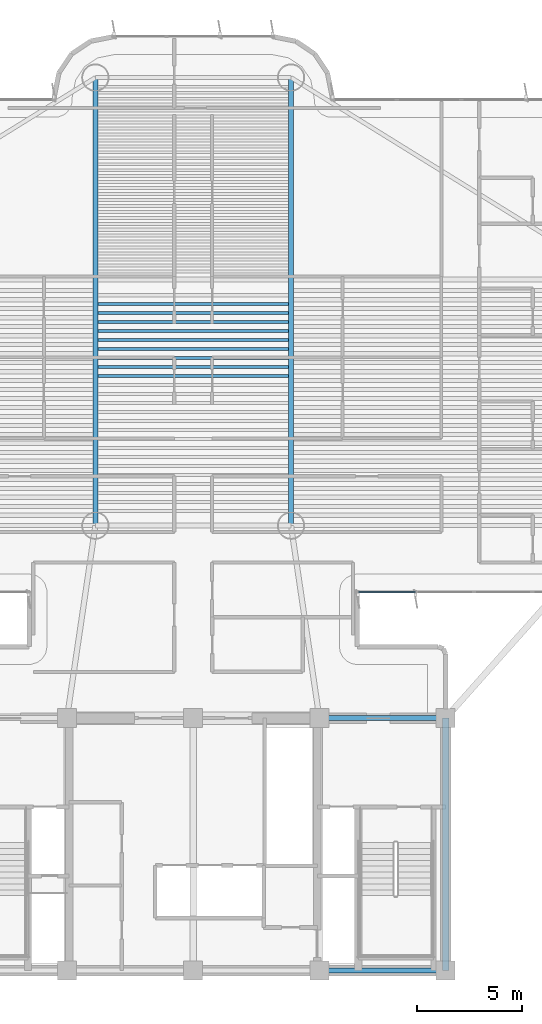
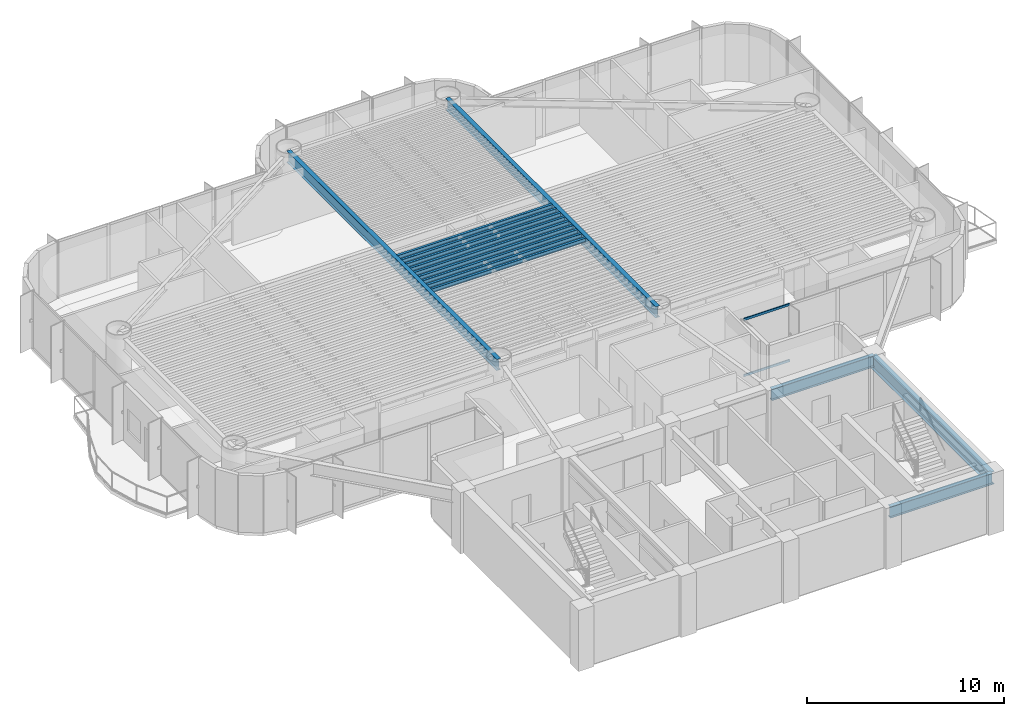
# One storey, part 3 of 17: 14 beams, 2 members, 1 element without a shape of its own.
"""IFC4 building model written with IfcOpenShell, lengths in metres."""

from ifc_helpers import new_model, si_unit, direction, frame, origin, origin_2d, place, context, subcontext, project, spatial, rectangle, i_section, extrude, source, transform, mapped, material, layer, layer_set, material_profile, profile_set, type_object, element, aggregate, save


model = new_model("IFC4")

# Units and contexts
model_context = context("Model", 3, precision=1e-05, world=origin(), true_north=direction((0.0, 1.0)))
body_context = subcontext(model_context, "Body", "Model", "MODEL_VIEW")
ifc_project = project(units=[si_unit("LENGTHUNIT", "METRE"), si_unit("AREAUNIT", "SQUARE_METRE"), si_unit("VOLUMEUNIT", "CUBIC_METRE"), si_unit("PLANEANGLEUNIT", "RADIAN"), si_unit("MASSUNIT", "GRAM", prefix="KILO")], contexts=[model_context])

# Site, building, storey
site_placement = place(None, origin())
site = spatial("IfcSite", under=ifc_project, at=site_placement, CompositionType="ELEMENT")
building_placement = place(site_placement, origin())
building = spatial("IfcBuilding", under=site, at=building_placement, Name="Brelvock Crest Care Tower", CompositionType="ELEMENT")
storey_placement = place(building_placement, frame((0.0, 0.0, 135.179931640625)))
storey = spatial("IfcBuildingStorey", under=building, at=storey_placement, Name="L34", CompositionType="ELEMENT", Elevation=135.179931640625)

# Beams
ifc_material_1 = material(Name="Steel Grade 350", Category="steel")
ifc_material_profile_1 = material_profile(ifc_material_1, i_section(OverallWidth=0.25, OverallDepth=0.699951171875, WebThickness=0.011962890625, FlangeThickness=0.02001953125, at=origin_2d()), Name="700WB150")
ifc_profile_set_1 = profile_set([ifc_material_profile_1], Name="Steel Grade 350")
beam_type_1 = type_object("IfcBeamType", Name="BM-G4", PredefinedType="BEAM", material=ifc_profile_set_1)
shared_shape_1 = source(origin(), body_context, "Body", "SweptSolid", [
    extrude(i_section(OverallWidth=0.25, OverallDepth=0.699951171875, WebThickness=0.011962890625, FlangeThickness=0.02001953125, at=origin_2d()), origin(), (0.0, 0.0, 1.0), 6.0),
])
for number, where, z_axis, x_axis, name in (
    (1, (42.0, 6.0, 3.18017578125), (1.0, 0.0, 0.0), (0.0, 1.0, 0.0), "BM-CORES-L34-4"),
    (2, (42.0, 18.0, 3.18017578125), (1.0, 0.0, 0.0), (0.0, 1.0, 0.0), "BM-COREN-L34-4"),
):
    element("IfcBeam", number, at=place(storey_placement, frame(where, z_axis=z_axis, x_axis=x_axis)), inside=storey, type_object=beam_type_1, Name=name, PredefinedType="BEAM", context=body_context, shape_type="MappedRepresentation", body=[
        mapped(shared_shape_1, transform((0.0, 0.0, 0.0), x_axis=(1.0, 0.0, 0.0), y_axis=(0.0, 1.0, 0.0), z_axis=(0.0, 0.0, 1.0), scale=1.0)),
    ])
ifc_material_profile_2 = material_profile(ifc_material_1, i_section(OverallWidth=0.300048828125, OverallDepth=0.800048828125, WebThickness=0.013916015625, FlangeThickness=0.02197265625, at=origin_2d()), Name="800WB192")
ifc_profile_set_2 = profile_set([ifc_material_profile_2], Name="Steel Grade 350")
beam_type_2 = type_object("IfcBeamType", Name="BM-G5", PredefinedType="BEAM", material=ifc_profile_set_2)
shared_shape_2 = source(origin(), body_context, "Body", "SweptSolid", [
    extrude(i_section(OverallWidth=0.300048828125, OverallDepth=0.800048828125, WebThickness=0.013916015625, FlangeThickness=0.02197265625, at=origin_2d()), origin(), (0.0, 0.0, 1.0), 12.0),
])
beam_placement = place(storey_placement, frame((48.0, 6.0, 3.130126953125), z_axis=(0.0, 1.0, 0.0), x_axis=(-1.0, 0.0, 0.0)))
element("IfcBeam", 3, at=beam_placement, inside=storey, type_object=beam_type_2, Name="BM-COREX-L34-5", PredefinedType="BEAM", context=body_context, shape_type="MappedRepresentation", body=[
    mapped(shared_shape_2, transform((0.0, 0.0, 0.0), x_axis=(1.0, 0.0, 0.0), y_axis=(0.0, 1.0, 0.0), z_axis=(0.0, 0.0, 1.0), scale=1.0)),
])
ifc_material_profile_3 = material_profile(ifc_material_1, i_section(OverallWidth=0.14599609375, OverallDepth=0.256103515625, WebThickness=0.00634765625, FlangeThickness=0.010986328125, FilletRadius=0.0087890625, at=origin_2d()), Name="250UB37.3")
ifc_profile_set_3 = profile_set([ifc_material_profile_3], Name="Steel Grade 350")
beam_type_3 = type_object("IfcBeamType", Name="BM-J3", PredefinedType="JOIST", material=ifc_profile_set_3)
shared_shape_3 = source(origin(), body_context, "Body", "SweptSolid", [
    extrude(i_section(OverallWidth=0.14599609375, OverallDepth=0.256103515625, WebThickness=0.00634765625, FlangeThickness=0.010986328125, FilletRadius=0.0087890625, at=origin_2d()), origin(), (0.0, 0.0, 1.0), 9.06982421875),
])
for number, where, z_axis, x_axis, name in (
    (4, (31.465087890625, 34.2607421875, 3.402099609375), (1.0, 0.0, 0.0), (0.0, 1.0, 0.0), "BM-JH-L34-16"),
    (5, (31.465087890625, 34.687744140625, 3.402099609375), (1.0, 0.0, 0.0), (0.0, 1.0, 0.0), "BM-JH-L34-17"),
    (6, (31.465087890625, 35.11474609375, 3.402099609375), (1.0, 0.0, 0.0), (0.0, 1.0, 0.0), "BM-JH-L34-18"),
    (7, (31.465087890625, 35.541748046875, 3.402099609375), (1.0, 0.0, 0.0), (0.0, 1.0, 0.0), "BM-JH-L34-19"),
    (8, (31.465087890625, 35.96875, 3.402099609375), (1.0, 0.0, 0.0), (0.0, 1.0, 0.0), "BM-JH-L34-20"),
    (9, (31.465087890625, 36.39599609375, 3.402099609375), (1.0, 0.0, 0.0), (0.0, 1.0, 0.0), "BM-JH-L34-21"),
    (10, (31.465087890625, 36.822998046875, 3.402099609375), (1.0, 0.0, 0.0), (0.0, 1.0, 0.0), "BM-JH-L34-22"),
    (11, (31.465087890625, 37.25, 3.402099609375), (1.0, 0.0, 0.0), (0.0, 1.0, 0.0), "BM-JH-L34-23"),
    (12, (31.465087890625, 37.677001953125, 3.402099609375), (1.0, 0.0, 0.0), (0.0, 1.0, 0.0), "BM-JH-L34-24"),
):
    element("IfcBeam", number, at=place(storey_placement, frame(where, z_axis=z_axis, x_axis=x_axis)), inside=storey, type_object=beam_type_3, Name=name, PredefinedType="JOIST", context=body_context, shape_type="MappedRepresentation", body=[
        mapped(shared_shape_3, transform((0.0, 0.0, 0.0), x_axis=(1.0, 0.0, 0.0), y_axis=(0.0, 1.0, 0.0), z_axis=(0.0, 0.0, 1.0), scale=1.0)),
    ])
shared_shape_4 = source(origin(), body_context, "Body", "SweptSolid", [
    extrude(i_section(OverallWidth=0.25, OverallDepth=0.699951171875, WebThickness=0.011962890625, FlangeThickness=0.02001953125, at=origin_2d()), origin(), (0.0, 0.0, 1.0), 21.300048828125),
])
for number, where, z_axis, x_axis, name in (
    (13, (31.35009765625, 27.14990234375, 3.18017578125), (0.0, 1.0, 0.0), (-1.0, 0.0, 0.0), "BM-TWR-L34-09"),
    (14, (40.64990234375, 27.14990234375, 3.18017578125), (0.0, 1.0, 0.0), (-1.0, 0.0, 0.0), "BM-TWR-L34-10"),
):
    element("IfcBeam", number, at=place(storey_placement, frame(where, z_axis=z_axis, x_axis=x_axis)), inside=storey, type_object=beam_type_1, Name=name, PredefinedType="BEAM", context=body_context, shape_type="MappedRepresentation", body=[
        mapped(shared_shape_4, transform((0.0, 0.0, 0.0), x_axis=(1.0, 0.0, 0.0), y_axis=(0.0, 1.0, 0.0), z_axis=(0.0, 0.0, 1.0), scale=1.0)),
    ])

# Curtain wall, members
ifc_material_2 = material(Name="Dark Glass Double Glazed Low-E", Category="glass")
ifc_layer = layer(ifc_material_2, 0.2099609375, Name="CWS-3")
ifc_layer_set = layer_set([ifc_layer], Name="Dark Glass Double Glazed Low-E")
curtain_wall_type = type_object("IfcCurtainWallType", Name="CWS-3", PredefinedType="NOTDEFINED", material=ifc_layer_set)
curtain_wall_placement = place(storey_placement, origin())
curtain_wall = element("IfcCurtainWall", 15, at=curtain_wall_placement, inside=storey, type_object=curtain_wall_type, Name="L34 Curtain Wall E44", PredefinedType="NOTDEFINED")
ifc_material_3 = material(Name="Aluminium 6063-T6", Category="aluminium")
ifc_material_profile_4 = material_profile(ifc_material_3, rectangle(XDim=0.06005859375, YDim=0.139892578125, at=origin_2d()), Name="ALU60x140")
ifc_profile_set_4 = profile_set([ifc_material_profile_4], Name="Aluminium 6063-T6")
member_type = type_object("IfcMemberType", Name="CWT-2", PredefinedType="USERDEFINED", material=ifc_profile_set_4)
shared_shape_5 = source(origin(), body_context, "Body", "SweptSolid", [
    extrude(rectangle(XDim=0.06005859375, YDim=0.139892578125, at=origin_2d()), origin(), (0.0, 0.0, 1.0), 2.684814453125),
])
member_1_placement = place(storey_placement, frame((46.544921875, 24.0, 0.030029296875), z_axis=(-1.0, 0.0, 0.0), x_axis=(0.0, -1.0, 0.0)))
member_1 = element("IfcMember", 16, at=member_1_placement, type_object=member_type, Name="CW-3 transom 4.1", ObjectType="TRANSOM", PredefinedType="USERDEFINED", context=body_context, shape_type="MappedRepresentation", body=[
    mapped(shared_shape_5, transform((0.0, 0.0, 0.0), x_axis=(1.0, 0.0, 0.0), y_axis=(0.0, 1.0, 0.0), z_axis=(0.0, 0.0, 1.0), scale=1.0)),
])
member_2_placement = place(storey_placement, frame((46.544921875, 24.0, 3.5), z_axis=(-1.0, 0.0, 0.0), x_axis=(0.0, -1.0, 0.0)))
member_2 = element("IfcMember", 17, at=member_2_placement, type_object=member_type, Name="CW-3 transom 4.2", ObjectType="TRANSOM", PredefinedType="USERDEFINED", context=body_context, shape_type="MappedRepresentation", body=[
    mapped(shared_shape_5, transform((0.0, 0.0, 0.0), x_axis=(1.0, 0.0, 0.0), y_axis=(0.0, 1.0, 0.0), z_axis=(0.0, 0.0, 1.0), scale=1.0)),
])
aggregate(curtain_wall, [member_1, member_2])

save(model, "model.ifc")
